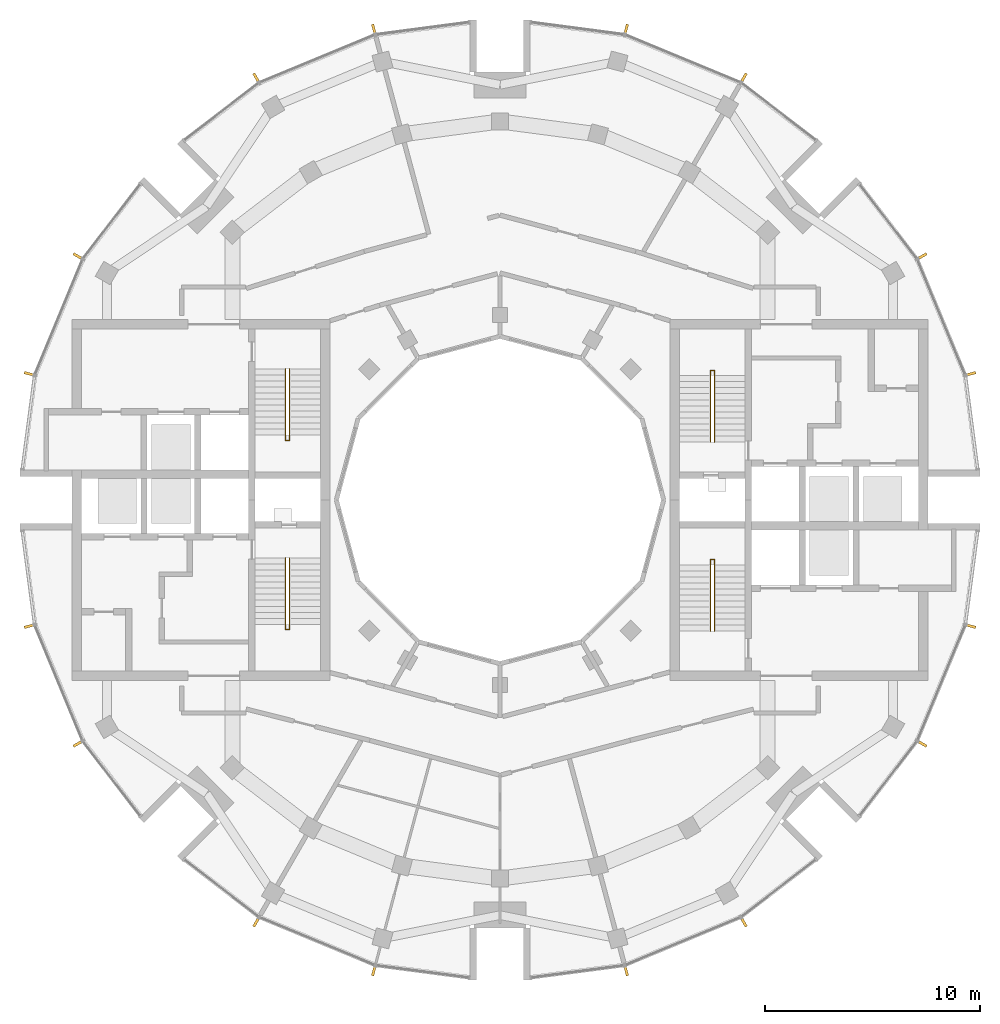
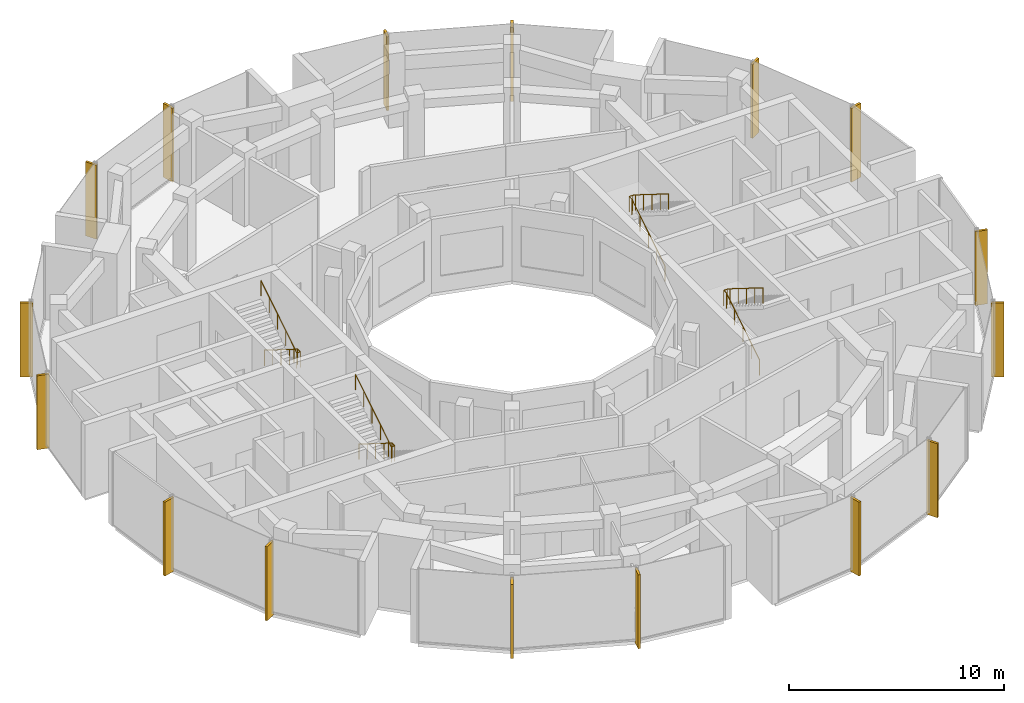
# One storey, part 12 of 13: 16 shading devices, 4 railings.
"""IFC4 building model written with IfcOpenShell, lengths in metres."""

from ifc_helpers import new_model, si_unit, direction, frame, origin, origin_2d, place, context, subcontext, project, spatial, rectangle, circle, extrude, material, material_profile, profile_set, type_object, element, save


model = new_model("IFC4")

# Units and contexts
model_context = context("Model", 3, precision=1e-05, world=origin(), true_north=direction((0.0, 1.0)))
body_context = subcontext(model_context, "Body", "Model", "MODEL_VIEW")
ifc_project = project(units=[si_unit("LENGTHUNIT", "METRE"), si_unit("AREAUNIT", "SQUARE_METRE"), si_unit("VOLUMEUNIT", "CUBIC_METRE"), si_unit("PLANEANGLEUNIT", "RADIAN"), si_unit("MASSUNIT", "GRAM", prefix="KILO")], contexts=[model_context])

# Site, building, storey
site_placement = place(None, origin())
site = spatial("IfcSite", under=ifc_project, at=site_placement, CompositionType="ELEMENT")
building_placement = place(site_placement, origin())
building = spatial("IfcBuilding", under=site, at=building_placement, Name="Torre Brocal", CompositionType="ELEMENT")
storey_placement = place(building_placement, frame((0.0, 0.0, 296.699951171875)))
storey = spatial("IfcBuildingStorey", under=building, at=storey_placement, Name="L68", CompositionType="ELEMENT", Elevation=296.699951171875)

# Shading devices
ifc_material_1 = material(Name="Aluminium, black anodised", Category="aluminium")
ifc_material_profile = material_profile(ifc_material_1, rectangle(XDim=0.1201171875, YDim=0.60009765625, at=origin_2d()), Name="FIN 120X600 4200 HIGH")
ifc_profile_set = profile_set([ifc_material_profile], Name="Aluminium, black anodised")
shading_device_type = type_object("IfcShadingDeviceType", Name="FIN 120X600 4200 HIGH", PredefinedType="USERDEFINED", material=ifc_profile_set)
for number, where, z_axis, x_axis, name in (
    (1, (101.828369140625, 80.848876953125, -0.14990234375), (0.0, 0.0, 1.0), (-0.258819045103, 0.965925826289, 0.0), "FIN"),
    (2, (99.57080078125, 86.299072265625, -0.14990234375), (0.0, 0.0, 1.0), (-0.5, 0.866025403784, 0.0), "FIN"),
    (3, (91.299072265625, 94.57080078125, -0.14990234375), (0.0, 0.0, 1.0), (-0.866025403784, 0.5, 0.0), "FIN"),
    (4, (85.848876953125, 96.828369140625, -0.14990234375), (0.0, 0.0, 1.0), (-0.965925826289, 0.258819045103, 0.0), "FIN"),
    (5, (74.151123046875, 96.828369140625, -0.14990234375), (0.0, 0.0, 1.0), (-0.965925826289, -0.258819045103, 0.0), "FIN"),
    (6, (68.700927734375, 94.57080078125, -0.14990234375), (0.0, 0.0, 1.0), (-0.866025403784, -0.5, 0.0), "FIN"),
    (7, (60.42919921875, 86.299072265625, -0.14990234375), (0.0, 0.0, 1.0), (-0.5, -0.866025403784, 0.0), "FIN"),
    (8, (58.171630859375, 80.848876953125, -0.14990234375), (0.0, 0.0, 1.0), (-0.258819045103, -0.965925826289, 0.0), "FIN"),
    (9, (58.171630859375, 69.151123046875, -0.14990234375), (0.0, 0.0, 1.0), (0.258819045103, -0.965925826289, 0.0), "FIN"),
    (10, (60.42919921875, 63.700927734375, -0.14990234375), (0.0, 0.0, 1.0), (0.5, -0.866025403784, 0.0), "FIN"),
    (11, (68.700927734375, 55.42919921875, -0.14990234375), (0.0, 0.0, 1.0), (0.866025403784, -0.5, 0.0), "FIN"),
    (12, (74.151123046875, 53.171630859375, -0.14990234375), (0.0, 0.0, 1.0), (0.965925826289, -0.258819045103, 0.0), "FIN"),
    (13, (85.848876953125, 53.171630859375, -0.14990234375), (0.0, 0.0, 1.0), (0.965925826289, 0.258819045103, 0.0), "FIN"),
    (14, (91.299072265625, 55.42919921875, -0.14990234375), (0.0, 0.0, 1.0), (0.866025403784, 0.5, 0.0), "FIN"),
    (15, (99.57080078125, 63.700927734375, -0.14990234375), (0.0, 0.0, 1.0), (0.5, 0.866025403784, 0.0), "FIN"),
    (16, (101.828369140625, 69.151123046875, -0.14990234375), (0.0, 0.0, 1.0), (0.258819045103, 0.965925826289, 0.0), "FIN"),
):
    element("IfcShadingDevice", number, at=place(storey_placement, frame(where, z_axis=z_axis, x_axis=x_axis)), inside=storey, type_object=shading_device_type, Name=name, ObjectType="FIN", PredefinedType="USERDEFINED", context=body_context, shape_type="SweptSolid", body=[
        extrude(rectangle(XDim=0.1201171875, YDim=0.60009765625, at=origin_2d()), origin(), (0.0, 0.0, 1.0), 4.199951171875),
    ])

# Railings
ifc_material_2 = material(Name="Stainless steel AISI 316", Category="steel")
railing_type = type_object("IfcRailingType", Name="STAIR HANDRAIL", PredefinedType="HANDRAIL", material=ifc_material_2)
railing_1_placement = place(storey_placement, frame((89.780029296875, 77.699951171875, 0.175048828125)))
element("IfcRailing", 17, at=railing_1_placement, inside=storey, type_object=railing_type, Name="HANDRAIL ST1", PredefinedType="HANDRAIL", context=body_context, shape_type="SweptSolid", body=[
    extrude(circle(Radius=0.02392578125, at=origin_2d()), frame((0.0, 0.0, 0.8759765625), z_axis=(0.0, 0.847998304005, 0.529998940003), x_axis=(-1.0, 0.0, 0.0)), (0.0, 0.0, 1.0), 3.632080078125),
    extrude(circle(Radius=0.02392578125, at=origin_2d()), frame((0.0, 3.080078125, 2.80078125), z_axis=(0.0, 1.0, 0.0), x_axis=(-1.0, 0.0, 0.0)), (0.0, 0.0, 1.0), 0.25),
    extrude(circle(Radius=0.02392578125, at=origin_2d()), frame((0.0, 3.330078125, 2.80078125), z_axis=(1.0, 0.0, 0.0), x_axis=(0.0, 1.0, 0.0)), (0.0, 0.0, 1.0), 0.18994140625),
    extrude(circle(Radius=0.02392578125, at=origin_2d()), frame((0.18994140625, 3.330078125, 2.80078125), z_axis=(0.0, -0.819156749665, 0.573569716318), x_axis=(1.0, 0.0, 0.0)), (0.0, 0.0, 1.0), 0.30517578125),
    extrude(circle(Radius=0.02392578125, at=origin_2d()), frame((0.18994140625, 3.080078125, 2.97607421875), z_axis=(0.0, -0.848028513186, 0.529950602248), x_axis=(1.0, 0.0, 0.0)), (0.0, 0.0, 1.0), 3.632080078125),
    extrude(circle(Radius=0.02099609375, at=origin_2d()), origin(), (0.0, 0.0, 1.0), 0.851806640625),
    extrude(circle(Radius=0.02099609375, at=origin_2d()), frame((0.0, 0.77001953125, 0.481201171875)), (0.0, 0.0, 1.0), 0.851806640625),
    extrude(circle(Radius=0.02099609375, at=origin_2d()), frame((0.0, 1.5400390625, 0.96240234375)), (0.0, 0.0, 1.0), 0.851806640625),
    extrude(circle(Radius=0.02099609375, at=origin_2d()), frame((0.0, 2.31005859375, 1.44384765625)), (0.0, 0.0, 1.0), 0.851806640625),
    extrude(circle(Radius=0.02099609375, at=origin_2d()), frame((0.0, 3.080078125, 1.925048828125)), (0.0, 0.0, 1.0), 0.851806640625),
    extrude(circle(Radius=0.02099609375, at=origin_2d()), frame((0.0, 3.330078125, 1.925048828125)), (0.0, 0.0, 1.0), 0.851806640625),
    extrude(circle(Radius=0.02099609375, at=origin_2d()), frame((0.18994140625, 3.330078125, 1.925048828125)), (0.0, 0.0, 1.0), 0.851806640625),
    extrude(circle(Radius=0.02099609375, at=origin_2d()), frame((0.18994140625, 3.080078125, 2.10009765625)), (0.0, 0.0, 1.0), 0.851806640625),
    extrude(circle(Radius=0.02099609375, at=origin_2d()), frame((0.18994140625, 2.31005859375, 2.581298828125)), (0.0, 0.0, 1.0), 0.851806640625),
    extrude(circle(Radius=0.02099609375, at=origin_2d()), frame((0.18994140625, 1.5400390625, 3.0625)), (0.0, 0.0, 1.0), 0.851806640625),
    extrude(circle(Radius=0.02099609375, at=origin_2d()), frame((0.18994140625, 0.77001953125, 3.543701171875)), (0.0, 0.0, 1.0), 0.851806640625),
    extrude(circle(Radius=0.02099609375, at=origin_2d()), frame((0.18994140625, 0.0, 4.02490234375)), (0.0, 0.0, 1.0), 0.851806640625),
])
railing_2_placement = place(storey_placement, frame((89.780029296875, 68.89990234375, 0.175048828125)))
element("IfcRailing", 18, at=railing_2_placement, inside=storey, type_object=railing_type, Name="HANDRAIL ST2", PredefinedType="HANDRAIL", context=body_context, shape_type="SweptSolid", body=[
    extrude(circle(Radius=0.02392578125, at=origin_2d()), frame((0.0, 0.0, 0.8759765625), z_axis=(0.0, 0.847998304005, 0.529998940003), x_axis=(-1.0, 0.0, 0.0)), (0.0, 0.0, 1.0), 3.632080078125),
    extrude(circle(Radius=0.02392578125, at=origin_2d()), frame((0.0, 3.080078125, 2.80078125), z_axis=(0.0, 1.0, 0.0), x_axis=(-1.0, 0.0, 0.0)), (0.0, 0.0, 1.0), 0.25),
    extrude(circle(Radius=0.02392578125, at=origin_2d()), frame((0.0, 3.330078125, 2.80078125), z_axis=(1.0, 0.0, 0.0), x_axis=(0.0, 1.0, 0.0)), (0.0, 0.0, 1.0), 0.18994140625),
    extrude(circle(Radius=0.02392578125, at=origin_2d()), frame((0.18994140625, 3.330078125, 2.80078125), z_axis=(0.0, -0.819156749665, 0.573569716318), x_axis=(1.0, 0.0, 0.0)), (0.0, 0.0, 1.0), 0.30517578125),
    extrude(circle(Radius=0.02392578125, at=origin_2d()), frame((0.18994140625, 3.080078125, 2.97607421875), z_axis=(0.0, -0.848028513186, 0.529950602248), x_axis=(1.0, 0.0, 0.0)), (0.0, 0.0, 1.0), 3.632080078125),
    extrude(circle(Radius=0.02099609375, at=origin_2d()), origin(), (0.0, 0.0, 1.0), 0.851806640625),
    extrude(circle(Radius=0.02099609375, at=origin_2d()), frame((0.0, 0.77001953125, 0.481201171875)), (0.0, 0.0, 1.0), 0.851806640625),
    extrude(circle(Radius=0.02099609375, at=origin_2d()), frame((0.0, 1.5400390625, 0.96240234375)), (0.0, 0.0, 1.0), 0.851806640625),
    extrude(circle(Radius=0.02099609375, at=origin_2d()), frame((0.0, 2.31005859375, 1.44384765625)), (0.0, 0.0, 1.0), 0.851806640625),
    extrude(circle(Radius=0.02099609375, at=origin_2d()), frame((0.0, 3.080078125, 1.925048828125)), (0.0, 0.0, 1.0), 0.851806640625),
    extrude(circle(Radius=0.02099609375, at=origin_2d()), frame((0.0, 3.330078125, 1.925048828125)), (0.0, 0.0, 1.0), 0.851806640625),
    extrude(circle(Radius=0.02099609375, at=origin_2d()), frame((0.18994140625, 3.330078125, 1.925048828125)), (0.0, 0.0, 1.0), 0.851806640625),
    extrude(circle(Radius=0.02099609375, at=origin_2d()), frame((0.18994140625, 3.080078125, 2.10009765625)), (0.0, 0.0, 1.0), 0.851806640625),
    extrude(circle(Radius=0.02099609375, at=origin_2d()), frame((0.18994140625, 2.31005859375, 2.581298828125)), (0.0, 0.0, 1.0), 0.851806640625),
    extrude(circle(Radius=0.02099609375, at=origin_2d()), frame((0.18994140625, 1.5400390625, 3.0625)), (0.0, 0.0, 1.0), 0.851806640625),
    extrude(circle(Radius=0.02099609375, at=origin_2d()), frame((0.18994140625, 0.77001953125, 3.543701171875)), (0.0, 0.0, 1.0), 0.851806640625),
    extrude(circle(Radius=0.02099609375, at=origin_2d()), frame((0.18994140625, 0.0, 4.02490234375)), (0.0, 0.0, 1.0), 0.851806640625),
])
railing_3_placement = place(storey_placement, frame((70.219970703125, 72.300048828125, 0.175048828125)))
element("IfcRailing", 19, at=railing_3_placement, inside=storey, type_object=railing_type, Name="HANDRAIL ST3", PredefinedType="HANDRAIL", context=body_context, shape_type="SweptSolid", body=[
    extrude(circle(Radius=0.02392578125, at=origin_2d()), frame((0.0, 0.0, 0.8759765625), z_axis=(0.0, -0.847998304005, 0.529998940003), x_axis=(1.0, 0.0, 0.0)), (0.0, 0.0, 1.0), 3.632080078125),
    extrude(circle(Radius=0.02392578125, at=origin_2d()), frame((0.0, -3.080078125, 2.80078125), z_axis=(0.0, -1.0, 0.0), x_axis=(1.0, 0.0, 0.0)), (0.0, 0.0, 1.0), 0.25),
    extrude(circle(Radius=0.02392578125, at=origin_2d()), frame((0.0, -3.330078125, 2.80078125), z_axis=(-1.0, 0.0, 0.0), x_axis=(0.0, -1.0, 0.0)), (0.0, 0.0, 1.0), 0.18994140625),
    extrude(circle(Radius=0.02392578125, at=origin_2d()), frame((-0.18994140625, -3.330078125, 2.80078125), z_axis=(0.0, 0.819156749665, 0.573569716318), x_axis=(-1.0, 0.0, 0.0)), (0.0, 0.0, 1.0), 0.30517578125),
    extrude(circle(Radius=0.02392578125, at=origin_2d()), frame((-0.18994140625, -3.080078125, 2.97607421875), z_axis=(0.0, 0.848028513186, 0.529950602248), x_axis=(-1.0, 0.0, 0.0)), (0.0, 0.0, 1.0), 3.632080078125),
    extrude(circle(Radius=0.02099609375, at=origin_2d()), origin(), (0.0, 0.0, 1.0), 0.851806640625),
    extrude(circle(Radius=0.02099609375, at=origin_2d()), frame((0.0, -0.77001953125, 0.481201171875)), (0.0, 0.0, 1.0), 0.851806640625),
    extrude(circle(Radius=0.02099609375, at=origin_2d()), frame((0.0, -1.5400390625, 0.96240234375)), (0.0, 0.0, 1.0), 0.851806640625),
    extrude(circle(Radius=0.02099609375, at=origin_2d()), frame((0.0, -2.31005859375, 1.44384765625)), (0.0, 0.0, 1.0), 0.851806640625),
    extrude(circle(Radius=0.02099609375, at=origin_2d()), frame((0.0, -3.080078125, 1.925048828125)), (0.0, 0.0, 1.0), 0.851806640625),
    extrude(circle(Radius=0.02099609375, at=origin_2d()), frame((0.0, -3.330078125, 1.925048828125)), (0.0, 0.0, 1.0), 0.851806640625),
    extrude(circle(Radius=0.02099609375, at=origin_2d()), frame((-0.18994140625, -3.330078125, 1.925048828125)), (0.0, 0.0, 1.0), 0.851806640625),
    extrude(circle(Radius=0.02099609375, at=origin_2d()), frame((-0.18994140625, -3.080078125, 2.10009765625)), (0.0, 0.0, 1.0), 0.851806640625),
    extrude(circle(Radius=0.02099609375, at=origin_2d()), frame((-0.18994140625, -2.31005859375, 2.581298828125)), (0.0, 0.0, 1.0), 0.851806640625),
    extrude(circle(Radius=0.02099609375, at=origin_2d()), frame((-0.18994140625, -1.5400390625, 3.0625)), (0.0, 0.0, 1.0), 0.851806640625),
    extrude(circle(Radius=0.02099609375, at=origin_2d()), frame((-0.18994140625, -0.77001953125, 3.543701171875)), (0.0, 0.0, 1.0), 0.851806640625),
    extrude(circle(Radius=0.02099609375, at=origin_2d()), frame((-0.18994140625, 0.0, 4.02490234375)), (0.0, 0.0, 1.0), 0.851806640625),
])
railing_4_placement = place(storey_placement, frame((70.219970703125, 81.10009765625, 0.175048828125)))
element("IfcRailing", 20, at=railing_4_placement, inside=storey, type_object=railing_type, Name="HANDRAIL ST4", PredefinedType="HANDRAIL", context=body_context, shape_type="SweptSolid", body=[
    extrude(circle(Radius=0.02392578125, at=origin_2d()), frame((0.0, 0.0, 0.8759765625), z_axis=(0.0, -0.847998304005, 0.529998940003), x_axis=(1.0, 0.0, 0.0)), (0.0, 0.0, 1.0), 3.632080078125),
    extrude(circle(Radius=0.02392578125, at=origin_2d()), frame((0.0, -3.080078125, 2.80078125), z_axis=(0.0, -1.0, 0.0), x_axis=(1.0, 0.0, 0.0)), (0.0, 0.0, 1.0), 0.25),
    extrude(circle(Radius=0.02392578125, at=origin_2d()), frame((0.0, -3.330078125, 2.80078125), z_axis=(-1.0, 0.0, 0.0), x_axis=(0.0, -1.0, 0.0)), (0.0, 0.0, 1.0), 0.18994140625),
    extrude(circle(Radius=0.02392578125, at=origin_2d()), frame((-0.18994140625, -3.330078125, 2.80078125), z_axis=(0.0, 0.819156749665, 0.573569716318), x_axis=(-1.0, 0.0, 0.0)), (0.0, 0.0, 1.0), 0.30517578125),
    extrude(circle(Radius=0.02392578125, at=origin_2d()), frame((-0.18994140625, -3.080078125, 2.97607421875), z_axis=(0.0, 0.848028513186, 0.529950602248), x_axis=(-1.0, 0.0, 0.0)), (0.0, 0.0, 1.0), 3.632080078125),
    extrude(circle(Radius=0.02099609375, at=origin_2d()), origin(), (0.0, 0.0, 1.0), 0.851806640625),
    extrude(circle(Radius=0.02099609375, at=origin_2d()), frame((0.0, -0.77001953125, 0.481201171875)), (0.0, 0.0, 1.0), 0.851806640625),
    extrude(circle(Radius=0.02099609375, at=origin_2d()), frame((0.0, -1.5400390625, 0.96240234375)), (0.0, 0.0, 1.0), 0.851806640625),
    extrude(circle(Radius=0.02099609375, at=origin_2d()), frame((0.0, -2.31005859375, 1.44384765625)), (0.0, 0.0, 1.0), 0.851806640625),
    extrude(circle(Radius=0.02099609375, at=origin_2d()), frame((0.0, -3.080078125, 1.925048828125)), (0.0, 0.0, 1.0), 0.851806640625),
    extrude(circle(Radius=0.02099609375, at=origin_2d()), frame((0.0, -3.330078125, 1.925048828125)), (0.0, 0.0, 1.0), 0.851806640625),
    extrude(circle(Radius=0.02099609375, at=origin_2d()), frame((-0.18994140625, -3.330078125, 1.925048828125)), (0.0, 0.0, 1.0), 0.851806640625),
    extrude(circle(Radius=0.02099609375, at=origin_2d()), frame((-0.18994140625, -3.080078125, 2.10009765625)), (0.0, 0.0, 1.0), 0.851806640625),
    extrude(circle(Radius=0.02099609375, at=origin_2d()), frame((-0.18994140625, -2.31005859375, 2.581298828125)), (0.0, 0.0, 1.0), 0.851806640625),
    extrude(circle(Radius=0.02099609375, at=origin_2d()), frame((-0.18994140625, -1.5400390625, 3.0625)), (0.0, 0.0, 1.0), 0.851806640625),
    extrude(circle(Radius=0.02099609375, at=origin_2d()), frame((-0.18994140625, -0.77001953125, 3.543701171875)), (0.0, 0.0, 1.0), 0.851806640625),
    extrude(circle(Radius=0.02099609375, at=origin_2d()), frame((-0.18994140625, 0.0, 4.02490234375)), (0.0, 0.0, 1.0), 0.851806640625),
])

save(model, "model.ifc")
